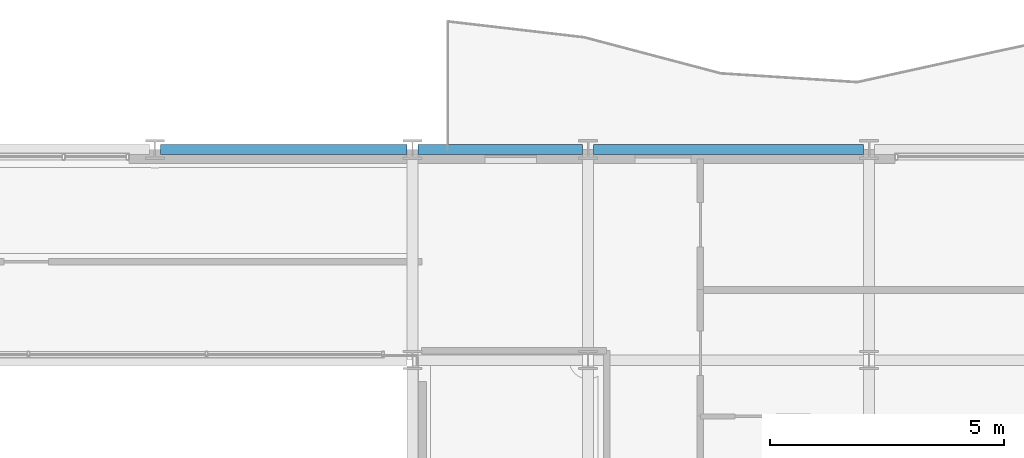
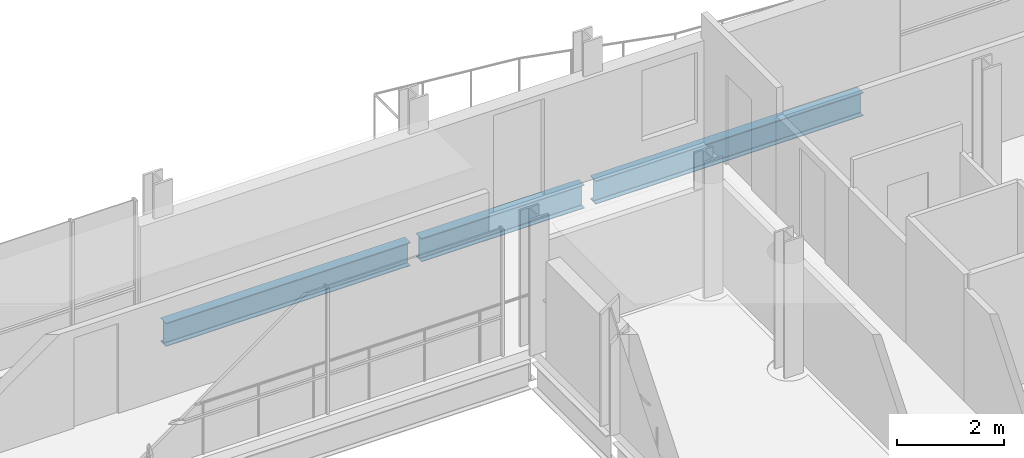
# One storey, part 25 of 41: 3 beams.
"""IFC4 building model written with IfcOpenShell, lengths in metres."""

import ifcopenshell
import ifcopenshell.guid

model = None  # the IFC model being written
_history = None  # IfcOwnerHistory: only IFC2X3 demands one
_inside = {}  # id of a spatial element -> (the spatial element, [elements in it])
_under = {}  # id of a project, library or spatial element -> (it, [spatial elements below it])
_declared = {}  # id of a project -> (the project, [libraries it declares])
_typed = {}  # id of a type object -> (the type object, [elements of that type])
_made_of = {}  # id of a material, layer set ... -> (it, [elements and type objects made of it])


def new_model(schema):
    """Start an empty IFC model of exactly this schema.

    Asked for "IFC4X3", IfcOpenShell would pick the latest addendum, in which some entities
    have other attributes; the version numbers below select the first issue.
    IFC2X3 requires an IfcOwnerHistory on every rooted entity: one is made here for all.
    """
    global model, _history
    if schema == "IFC4X3":
        model = ifcopenshell.file(schema_version=(4, 3, 0, 0))
    else:
        model = ifcopenshell.file(schema=schema)
    _inside.clear()
    _under.clear()
    _declared.clear()
    _typed.clear()
    _made_of.clear()
    _history = None
    if model.schema == "IFC2X3":
        org = make("IfcOrganization", Name="unknown")
        user = make(
            "IfcPersonAndOrganization",
            ThePerson=make("IfcPerson", FamilyName="unknown"),
            TheOrganization=org,
        )
        app = make(
            "IfcApplication",
            ApplicationDeveloper=org,
            Version="unknown",
            ApplicationFullName="unknown",
            ApplicationIdentifier="unknown",
        )
        _history = make(
            "IfcOwnerHistory",
            OwningUser=user,
            OwningApplication=app,
            ChangeAction="ADDED",
            CreationDate=0,
        )
    return model


def make(cls, **values):
    """One entity of the class cls with the attributes given. An attribute that is None is left unset."""
    return model.create_entity(
        cls, **{name: value for name, value in values.items() if value is not None}
    )


def rooted(cls, **values):
    """An entity with a GlobalId (a new one), such as an element, a storey or a relation."""
    return make(cls, GlobalId=ifcopenshell.guid.new(), OwnerHistory=_history, **values)


def si_unit(unit_type, name, prefix=None):
    """IfcSIUnit, for example si_unit("LENGTHUNIT", "METRE", prefix="MILLI")."""
    return make("IfcSIUnit", UnitType=unit_type, Prefix=prefix, Name=name)


def assignment(units):
    """IfcUnitAssignment: the units of a project."""
    return None if units is None else make("IfcUnitAssignment", Units=units)


def point(xyz):
    """IfcCartesianPoint."""
    return None if xyz is None else make("IfcCartesianPoint", Coordinates=xyz)


def direction(xyz):
    """IfcDirection."""
    return None if xyz is None else make("IfcDirection", DirectionRatios=xyz)


def frame(location, z_axis=None, x_axis=None):
    """IfcAxis2Placement3D, a coordinate frame: its origin and axes. An axis left out is left unset."""
    return make(
        "IfcAxis2Placement3D",
        Location=point(location),
        Axis=direction(z_axis),
        RefDirection=direction(x_axis),
    )


def frame_2d(location, x_axis=None):
    """IfcAxis2Placement2D, a coordinate frame in the plane: its origin and x axis."""
    return make(
        "IfcAxis2Placement2D", Location=point(location), RefDirection=direction(x_axis)
    )


def origin():
    """The frame at (0, 0, 0) with its axes left unset."""
    return frame((0.0, 0.0, 0.0))


def origin_2d():
    """The frame at (0, 0) in the plane with its x axis left unset."""
    return frame_2d((0.0, 0.0))


def place(relative_to, where):
    """IfcLocalPlacement: puts the frame where relative to a parent placement (None: the world)."""
    return make(
        "IfcLocalPlacement", PlacementRelTo=relative_to, RelativePlacement=where
    )


def context(
    kind, dimensions, precision=None, world=None, true_north=None, identifier=None
):
    """IfcGeometricRepresentationContext, for example the 3D "Model" context."""
    return make(
        "IfcGeometricRepresentationContext",
        ContextIdentifier=identifier,
        ContextType=kind,
        CoordinateSpaceDimension=dimensions,
        Precision=precision,
        WorldCoordinateSystem=world,
        TrueNorth=true_north,
    )


def subcontext(parent, identifier, kind, view, scale=None):
    """IfcGeometricRepresentationSubContext, for example "Body" below "Model"."""
    return make(
        "IfcGeometricRepresentationSubContext",
        ContextIdentifier=identifier,
        ContextType=kind,
        ParentContext=parent,
        TargetScale=scale,
        TargetView=view,
    )


def project(units=None, contexts=None):
    """IfcProject with its units and contexts."""
    return rooted(
        "IfcProject",
        Name="project",
        RepresentationContexts=contexts,
        UnitsInContext=assignment(units),
    )


def spatial(cls, under=None, at=None, **own):
    """A site, building, storey or space (cls), placed at a placement, below another one or the project."""
    s = rooted(cls, ObjectPlacement=at, **own)
    if under is not None:
        _under.setdefault(under.id(), (under, []))[1].append(s)
    return s


def profile(cls, at=None, kind="AREA", **sizes):
    """A parametric profile (cls). Its sizes go by their IFC names, for example OverallWidth=200.0."""
    return make(cls, ProfileType=kind, Position=at, **sizes)


def i_section(**sizes):
    """IfcIShapeProfileDef."""
    return profile("IfcIShapeProfileDef", **sizes)


def extrude(swept, where, along, depth):
    """IfcExtrudedAreaSolid: the profile swept, set in the frame where, extruded along a direction by depth."""
    return make(
        "IfcExtrudedAreaSolid",
        SweptArea=swept,
        Position=where,
        ExtrudedDirection=direction(along),
        Depth=depth,
    )


def shape(context_of_items, identifier, shape_type, items):
    """IfcShapeRepresentation: the items that make up one representation, for example the "Body"."""
    return make(
        "IfcShapeRepresentation",
        ContextOfItems=context_of_items,
        RepresentationIdentifier=identifier,
        RepresentationType=shape_type,
        Items=items,
    )


def material(Name=None, Category=None):
    """IfcMaterial."""
    return make("IfcMaterial", Name=Name, Category=Category)


def material_profile(
    of_material, cross_section, Name=None, Category=None, Priority=None
):
    """IfcMaterialProfile: a cross section and its material."""
    return make(
        "IfcMaterialProfile",
        Name=Name,
        Material=of_material,
        Profile=cross_section,
        Priority=Priority,
        Category=Category,
    )


def profile_set(profiles, Name=None, composite=None):
    """IfcMaterialProfileSet."""
    return make(
        "IfcMaterialProfileSet",
        Name=Name,
        MaterialProfiles=profiles,
        CompositeProfile=composite,
    )


def made_of(thing, what):
    """Note that an element or type object is made of a material, layer set ...; save() writes the relation."""
    if what is not None:
        _made_of.setdefault(what.id(), (what, []))[1].append(thing)
    return thing


def type_object(cls, material=None, **own):
    """A type object (cls), such as IfcWallType, which elements share."""
    return made_of(rooted(cls, **own), material)


def element(
    cls,
    number,
    at=None,
    inside=None,
    cuts=None,
    type_object=None,
    material=None,
    context=None,
    identifier="Body",
    shape_type=None,
    held_by="IfcProductDefinitionShape",
    body=None,
    shapes=None,
    **own,
):
    """One element of the class cls, such as IfcWall. Its Tag is "e" and its number.

    at: its placement. inside: the storey or other place that contains it. cuts: it is an
    opening in that element (IfcRelVoidsElement). A single representation is given by context,
    identifier, shape_type and body (its items); several are given by shapes. held_by: the class
    of the entity that holds the representations. save() writes the other relations.
    """
    e = rooted(cls, Tag="e%d" % number, ObjectPlacement=at, **own)
    if body is not None:
        shapes = [shape(context, identifier, shape_type, body)]
    if shapes is not None:
        e.Representation = make(held_by, Representations=shapes)
    if inside is not None:
        _inside.setdefault(inside.id(), (inside, []))[1].append(e)
    if cuts is not None:
        rooted(
            "IfcRelVoidsElement", RelatingBuildingElement=cuts, RelatedOpeningElement=e
        )
    if type_object is not None:
        _typed.setdefault(type_object.id(), (type_object, []))[1].append(e)
    return made_of(e, material)


def aggregate(whole, parts):
    """IfcRelAggregates: a whole, such as a stair, and the parts it consists of."""
    return rooted("IfcRelAggregates", RelatingObject=whole, RelatedObjects=parts)


def save(model, path):
    """Write the relations noted so far, then the file.

    IfcRelAggregates (storeys below a building ...), IfcRelContainedInSpatialStructure (elements
    in a storey), IfcRelDefinesByType, IfcRelAssociatesMaterial and IfcRelDeclares: one each for
    every whole, place, type object, material and project.
    """
    for whole, parts in _under.values():
        aggregate(whole, parts)
    for where, things in _inside.values():
        rooted(
            "IfcRelContainedInSpatialStructure",
            RelatedElements=things,
            RelatingStructure=where,
        )
    for kind, things in _typed.values():
        rooted("IfcRelDefinesByType", RelatedObjects=things, RelatingType=kind)
    for what, things in _made_of.values():
        rooted("IfcRelAssociatesMaterial", RelatedObjects=things, RelatingMaterial=what)
    for by, libraries in _declared.values():
        rooted("IfcRelDeclares", RelatingContext=by, RelatedDefinitions=libraries)
    model.write(path)


model = new_model("IFC4")

# Units and contexts
model_context = context("Model", 3, precision=1e-05, world=origin(), true_north=direction((0.0, 1.0)))
body_context = subcontext(model_context, "Body", "Model", "MODEL_VIEW")
ifc_project = project(units=[si_unit("LENGTHUNIT", "METRE"), si_unit("AREAUNIT", "SQUARE_METRE"), si_unit("VOLUMEUNIT", "CUBIC_METRE"), si_unit("PLANEANGLEUNIT", "RADIAN"), si_unit("MASSUNIT", "GRAM", prefix="KILO")], contexts=[model_context])

# Site, building, storey
site_placement = place(None, origin())
site = spatial("IfcSite", under=ifc_project, at=site_placement, CompositionType="ELEMENT")
building_placement = place(site_placement, origin())
building = spatial("IfcBuilding", under=site, at=building_placement, Name="Brevholm Reach", CompositionType="ELEMENT")
storey_placement = place(building_placement, frame((0.0, 0.0, 151.10009765625)))
storey = spatial("IfcBuildingStorey", under=building, at=storey_placement, Name="L45", CompositionType="ELEMENT", Elevation=151.10009765625)

# Beams
ifc_material = material(Name="Structural Steel S355J2", Category="steel")
ifc_material_profile = material_profile(ifc_material, i_section(OverallWidth=0.209228515625, OverallDepth=0.533203125, WebThickness=0.010009765625, FlangeThickness=0.015625, FilletRadius=0.0126953125, at=origin_2d()), Name="UKB 533x210x92")
ifc_profile_set = profile_set([ifc_material_profile], Name="Structural Steel S355J2")
beam_type = type_object("IfcBeamType", Name="BM-SP533", PredefinedType="SPANDREL", material=ifc_profile_set)
beam_1_placement = place(storey_placement, frame((32.8701171875, 31.0, -0.486572265625), z_axis=(1.0, 0.0, 0.0), x_axis=(0.0, 1.0, 0.0)))
element("IfcBeam", 1, at=beam_1_placement, inside=storey, type_object=beam_type, Name="L45 SP-02 Framing Beam", PredefinedType="SPANDREL", context=body_context, shape_type="SweptSolid", body=[
    extrude(i_section(OverallWidth=0.209228515625, OverallDepth=0.533203125, WebThickness=0.010009765625, FlangeThickness=0.015625, FilletRadius=0.0126953125, at=origin_2d()), origin(), (0.0, 0.0, 1.0), 5.259765625),
])
beam_2_placement = place(storey_placement, frame((38.3701171875, 31.0, -0.486572265625), z_axis=(1.0, 0.0, 0.0), x_axis=(0.0, 1.0, 0.0)))
element("IfcBeam", 2, at=beam_2_placement, inside=storey, type_object=beam_type, Name="L45 SP-02 Framing Beam", PredefinedType="SPANDREL", context=body_context, shape_type="SweptSolid", body=[
    extrude(i_section(OverallWidth=0.209228515625, OverallDepth=0.533203125, WebThickness=0.010009765625, FlangeThickness=0.015625, FilletRadius=0.0126953125, at=origin_2d()), origin(), (0.0, 0.0, 1.0), 3.509765625),
])
beam_3_placement = place(storey_placement, frame((42.1201171875, 31.0, -0.486572265625), z_axis=(1.0, 0.0, 0.0), x_axis=(0.0, 1.0, 0.0)))
element("IfcBeam", 3, at=beam_3_placement, inside=storey, type_object=beam_type, Name="L45 SP-02 Framing Beam", PredefinedType="SPANDREL", context=body_context, shape_type="SweptSolid", body=[
    extrude(i_section(OverallWidth=0.209228515625, OverallDepth=0.533203125, WebThickness=0.010009765625, FlangeThickness=0.015625, FilletRadius=0.0126953125, at=origin_2d()), origin(), (0.0, 0.0, 1.0), 5.759765625),
])

save(model, "model.ifc")
